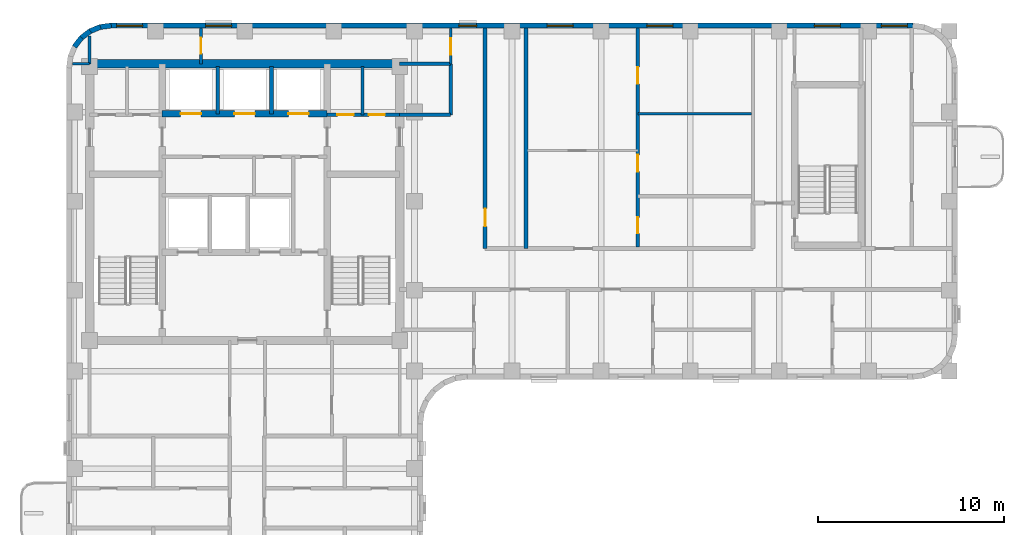
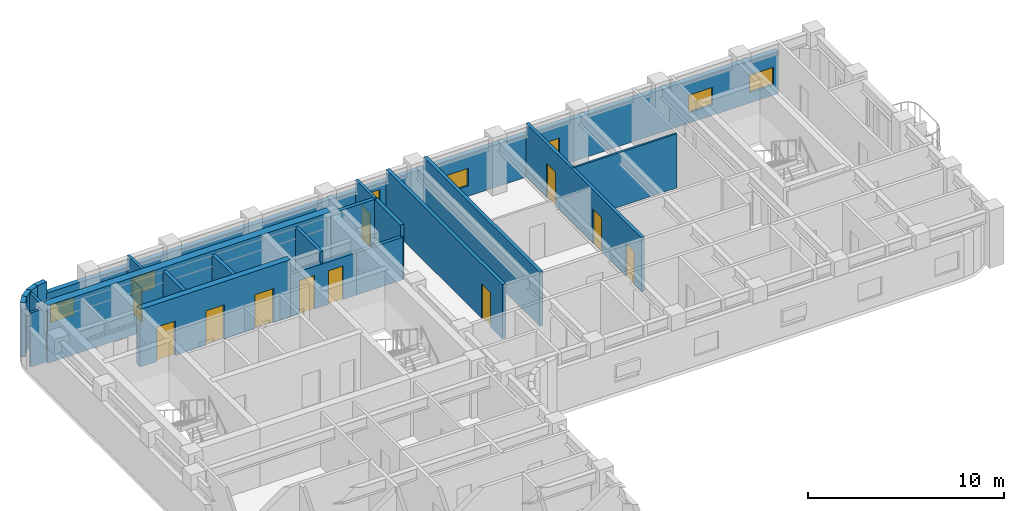
# One storey, part 8 of 12: 22 walls, 11 doors, 7 windows, 18 openings.
"""IFC4 building model written with IfcOpenShell, lengths in metres."""

from ifc_helpers import new_model, si_unit, direction, frame, frame_2d, origin, place, context, subcontext, project, spatial, rectangle, extrude, material, layer, layer_set, type_object, element, fill, save


model = new_model("IFC4")

# Units and contexts
model_context = context("Model", 3, precision=1e-05, world=origin(), true_north=direction((0.0, 1.0)))
body_context = subcontext(model_context, "Body", "Model", "MODEL_VIEW")
ifc_project = project(units=[si_unit("LENGTHUNIT", "METRE"), si_unit("AREAUNIT", "SQUARE_METRE"), si_unit("VOLUMEUNIT", "CUBIC_METRE"), si_unit("PLANEANGLEUNIT", "RADIAN"), si_unit("MASSUNIT", "GRAM", prefix="KILO")], contexts=[model_context])

# Site, building, storey
site_placement = place(None, origin())
site = spatial("IfcSite", under=ifc_project, at=site_placement, CompositionType="ELEMENT")
building_placement = place(site_placement, origin())
building = spatial("IfcBuilding", under=site, at=building_placement, Name="Orvandelia Arch Residences", CompositionType="ELEMENT")
storey_placement = place(building_placement, frame((0.0, 0.0, 214.60009765625)))
storey = spatial("IfcBuildingStorey", under=building, at=storey_placement, Name="L56", CompositionType="ELEMENT", Elevation=214.60009765625)

# Wall, openings, doors
ifc_material_1 = material(Name="Concrete C50/60", Category="concrete")
ifc_layer_1 = layer(ifc_material_1, 0.35009765625, Name="Concrete C50/60", Category="concrete")
ifc_layer_set_1 = layer_set([ifc_layer_1], Name="Concrete C50/60")
wall_type_1 = type_object("IfcWallType", Name="WL-CORE-350", PredefinedType="SHEAR", material=ifc_layer_set_1)
wall_1_placement = place(storey_placement, frame((9.9599609375, 43.10009765625, 0.0), z_axis=(0.0, 0.0, 1.0), x_axis=(1.0, 0.0, 0.0)))
wall_1 = element("IfcWall", 1, at=wall_1_placement, inside=storey, type_object=wall_type_1, Name="Core Shear Wall L56-HZ4", PredefinedType="SHEAR", context=body_context, shape_type="SweptSolid", body=[
    extrude(rectangle(XDim=8.880126953125, YDim=0.35009765625, at=frame_2d((4.43994140625, 0.0))), origin(), (0.0, 0.0, 1.0), 3.599853515625),
])
opening_1_placement = place(wall_1_placement, frame((0.989990234375, 0.0, 0.0)))
opening_1 = element("IfcOpeningElement", 2, at=opening_1_placement, cuts=wall_1, Name="Opening LD", PredefinedType="OPENING", context=body_context, shape_type="SweptSolid", body=[
    extrude(rectangle(XDim=1.10009765625, YDim=2.14990234375, at=frame_2d((0.550048828125, 1.074951171875))), frame((0.0, 0.18505859375, 0.0), z_axis=(0.0, -1.0, 0.0), x_axis=(1.0, 0.0, 0.0)), (0.0, 0.0, 1.0), 0.3701171875),
])
opening_2_placement = place(wall_1_placement, frame((3.889892578125, 0.0, 0.0)))
opening_2 = element("IfcOpeningElement", 3, at=opening_2_placement, cuts=wall_1, Name="Opening LD", PredefinedType="OPENING", context=body_context, shape_type="SweptSolid", body=[
    extrude(rectangle(XDim=1.10009765625, YDim=2.14990234375, at=frame_2d((0.550048828125, 1.074951171875))), frame((0.0, 0.18505859375, 0.0), z_axis=(0.0, -1.0, 0.0), x_axis=(1.0, 0.0, 0.0)), (0.0, 0.0, 1.0), 0.3701171875),
])
opening_3_placement = place(wall_1_placement, frame((6.7900390625, 0.0, 0.0)))
opening_3 = element("IfcOpeningElement", 4, at=opening_3_placement, cuts=wall_1, Name="Opening LD", PredefinedType="OPENING", context=body_context, shape_type="SweptSolid", body=[
    extrude(rectangle(XDim=1.10009765625, YDim=2.14990234375, at=frame_2d((0.550048828125, 1.074951171875))), frame((0.0, 0.18505859375, 0.0), z_axis=(0.0, -1.0, 0.0), x_axis=(1.0, 0.0, 0.0)), (0.0, 0.0, 1.0), 0.3701171875),
])
ifc_material_2 = material(Name="Brushed Stainless Steel Sliding Lift Door", Category="steel")
door_type_1 = type_object("IfcDoorType", Name="DR-LIFT-1100", OperationType="NOTDEFINED", PredefinedType="DOOR", material=ifc_material_2)
door_1_placement = place(opening_1_placement, origin())
door_1 = element("IfcDoor", 5, at=door_1_placement, inside=storey, type_object=door_type_1, Name="Lift Landing Door LD-PH1-L56", OperationType="SLIDING_TO_LEFT", OverallHeight=2.14990234375, OverallWidth=1.10009765625, PredefinedType="DOOR", context=body_context, shape_type="SweptSolid", body=[
    extrude(rectangle(XDim=1.10009765625, YDim=2.14990234375, at=frame_2d((0.550048828125, 1.074951171875))), frame((0.0, 0.02490234375, 0.0), z_axis=(0.0, -1.0, 0.0), x_axis=(1.0, 0.0, 0.0)), (0.0, 0.0, 1.0), 0.050048828125),
])
fill(opening_1, door_1)
door_2_placement = place(opening_2_placement, origin())
door_2 = element("IfcDoor", 6, at=door_2_placement, inside=storey, type_object=door_type_1, Name="Lift Landing Door LD-PH2-L56", OperationType="SLIDING_TO_RIGHT", OverallHeight=2.14990234375, OverallWidth=1.10009765625, PredefinedType="DOOR", context=body_context, shape_type="SweptSolid", body=[
    extrude(rectangle(XDim=1.10009765625, YDim=2.14990234375, at=frame_2d((0.550048828125, 1.074951171875))), frame((0.0, 0.02490234375, 0.0), z_axis=(0.0, -1.0, 0.0), x_axis=(1.0, 0.0, 0.0)), (0.0, 0.0, 1.0), 0.050048828125),
])
fill(opening_2, door_2)
door_3_placement = place(opening_3_placement, origin())
door_3 = element("IfcDoor", 7, at=door_3_placement, inside=storey, type_object=door_type_1, Name="Lift Landing Door LD-PH3-L56", OperationType="SLIDING_TO_LEFT", OverallHeight=2.14990234375, OverallWidth=1.10009765625, PredefinedType="DOOR", context=body_context, shape_type="SweptSolid", body=[
    extrude(rectangle(XDim=1.10009765625, YDim=2.14990234375, at=frame_2d((0.550048828125, 1.074951171875))), frame((0.0, 0.02490234375, 0.0), z_axis=(0.0, -1.0, 0.0), x_axis=(1.0, 0.0, 0.0)), (0.0, 0.0, 1.0), 0.050048828125),
])
fill(opening_3, door_3)

# Walls
ifc_layer_2 = layer(ifc_material_1, 0.449951171875, Name="Concrete C50/60", Category="concrete")
ifc_layer_set_2 = layer_set([ifc_layer_2], Name="Concrete C50/60")
wall_type_2 = type_object("IfcWallType", Name="WL-CORE-450", PredefinedType="SHEAR", material=ifc_layer_set_2)
wall_2_placement = place(storey_placement, frame((6.050048828125, 45.800048828125, 0.0), z_axis=(0.0, 0.0, 1.0), x_axis=(1.0, 0.0, 0.0)))
element("IfcWall", 8, at=wall_2_placement, inside=storey, type_object=wall_type_2, Name="Core Shear Wall L56-N", PredefinedType="SHEAR", context=body_context, shape_type="SweptSolid", body=[
    extrude(rectangle(XDim=16.699951171875, YDim=0.449951171875, at=frame_2d((8.35009765625, 0.0))), origin(), (0.0, 0.0, 1.0), 3.599853515625),
])
ifc_material_3 = material(Name="Fire-Rated Corridor Partition")
ifc_layer_3 = layer(ifc_material_3, 0.199951171875, Name="Fire-Rated Corridor Partition")
ifc_layer_set_3 = layer_set([ifc_layer_3], Name="Fire-Rated Corridor Partition")
wall_type_3 = type_object("IfcWallType", Name="WL-CORR-200", PredefinedType="PARTITIONING", material=ifc_layer_set_3)
wall_3_placement = place(storey_placement, frame((22.75, 45.800048828125, 0.0), z_axis=(0.0, 0.0, 1.0), x_axis=(1.0, 0.0, 0.0)))
element("IfcWall", 9, at=wall_3_placement, inside=storey, type_object=wall_type_3, Name="Interior Partition Wall WL-L56-NCE-S", PredefinedType="PARTITIONING", context=body_context, shape_type="SweptSolid", body=[
    extrude(rectangle(XDim=2.75, YDim=0.199951171875, at=frame_2d((1.375, 0.0))), origin(), (0.0, 0.0, 1.0), 3.3798828125),
])

# Wall, opening, door
wall_4_placement = place(storey_placement, frame((27.35009765625, 35.85009765625, 0.0), z_axis=(0.0, 0.0, 1.0), x_axis=(0.0, 1.0, 0.0)))
wall_4 = element("IfcWall", 10, at=wall_4_placement, inside=storey, type_object=wall_type_3, Name="Interior Partition Wall WL-L56-ES-NCE", PredefinedType="PARTITIONING", context=body_context, shape_type="SweptSolid", body=[
    extrude(rectangle(XDim=11.869873046875, YDim=0.199951171875, at=frame_2d((5.93505859375, 0.0))), origin(), (0.0, 0.0, 1.0), 3.3798828125),
])
opening_4_placement = place(wall_4_placement, frame((1.199951171875, 0.0, 0.0)))
opening_4 = element("IfcOpeningElement", 11, at=opening_4_placement, cuts=wall_4, Name="Opening D2", PredefinedType="OPENING", context=body_context, shape_type="SweptSolid", body=[
    extrude(rectangle(XDim=0.949951171875, YDim=2.14990234375, at=frame_2d((0.47509765625, 1.074951171875))), frame((0.0, 0.10986328125, 0.0), z_axis=(0.0, -1.0, 0.0), x_axis=(1.0, 0.0, 0.0)), (0.0, 0.0, 1.0), 0.219970703125),
])
ifc_material_4 = material(Name="Solid-Core Timber Interior Fire Door", Category="wood")
door_type_2 = type_object("IfcDoorType", Name="DR-APT-950", OperationType="NOTDEFINED", PredefinedType="DOOR", material=ifc_material_4)
door_4_placement = place(opening_4_placement, origin())
door_4 = element("IfcDoor", 12, at=door_4_placement, inside=storey, type_object=door_type_2, Name="DR-L56-ESLDY", OperationType="SINGLE_SWING_RIGHT", OverallHeight=2.14990234375, OverallWidth=0.949951171875, PredefinedType="DOOR", context=body_context, shape_type="SweptSolid", body=[
    extrude(rectangle(XDim=0.949951171875, YDim=2.14990234375, at=frame_2d((0.47509765625, 1.074951171875))), frame((0.0, 0.02490234375, 0.0), z_axis=(0.0, -1.0, 0.0), x_axis=(1.0, 0.0, 0.0)), (0.0, 0.0, 1.0), 0.050048828125),
])
fill(opening_4, door_4)

# Walls
wall_5_placement = place(storey_placement, frame((22.75, 43.050048828125, 0.0), z_axis=(0.0, 0.0, 1.0), x_axis=(1.0, 0.0, 0.0)))
element("IfcWall", 13, at=wall_5_placement, inside=storey, type_object=wall_type_3, Name="Interior Partition Wall WL-L56-ES-LS", PredefinedType="PARTITIONING", context=body_context, shape_type="SweptSolid", body=[
    extrude(rectangle(XDim=2.75, YDim=0.199951171875, at=frame_2d((1.375, 0.0))), origin(), (0.0, 0.0, 1.0), 2.659912109375),
])
wall_6_placement = place(storey_placement, frame((25.5, 43.050048828125, 0.0), z_axis=(0.0, 0.0, 1.0), x_axis=(0.0, 1.0, 0.0)))
element("IfcWall", 14, at=wall_6_placement, inside=storey, type_object=wall_type_3, Name="Interior Partition Wall WL-L56-ES-LW2", PredefinedType="PARTITIONING", context=body_context, shape_type="SweptSolid", body=[
    extrude(rectangle(XDim=2.75, YDim=0.199951171875, at=frame_2d((1.375, 0.0))), origin(), (0.0, 0.0, 1.0), 3.3798828125),
])
ifc_material_5 = material(Name="Concrete C40/50", Category="concrete")
ifc_layer_4 = layer(ifc_material_5, 0.199951171875, Name="Concrete C40/50", Category="concrete")
ifc_layer_set_4 = layer_set([ifc_layer_4], Name="Concrete C40/50")
wall_type_4 = type_object("IfcWallType", Name="WL-DEM-200", PredefinedType="SOLIDWALL", material=ifc_layer_set_4)
wall_7_placement = place(storey_placement, frame((29.550048828125, 35.85009765625, 0.0), z_axis=(0.0, 0.0, 1.0), x_axis=(0.0, 1.0, 0.0)))
element("IfcWall", 15, at=wall_7_placement, inside=storey, type_object=wall_type_4, Name="Interior Partition Wall WL-L56-ES-LDE", PredefinedType="SOLIDWALL", context=body_context, shape_type="SweptSolid", body=[
    extrude(rectangle(XDim=11.869873046875, YDim=0.199951171875, at=frame_2d((5.93505859375, 0.0))), origin(), (0.0, 0.0, 1.0), 3.3798828125),
])
ifc_material_6 = material(Name="Precast concrete C40/50", Category="concrete")
ifc_layer_5 = layer(ifc_material_6, 0.280029296875, Name="Precast concrete C40/50", Category="concrete")
ifc_layer_set_5 = layer_set([ifc_layer_5], Name="Precast concrete C40/50")
wall_type_5 = type_object("IfcWallType", Name="WL-EXT-STONE-280", PredefinedType="STANDARD", material=ifc_layer_set_5)
for number, where, z_axis, x_axis, name in (
    (16, (5.232666015625, 46.71484375, 0.0), (0.0, 0.0, 1.0), (0.608693302629, 0.793405610854, 0.0), "Coral-Limestone Precast Facade Wall L56-003"),
    (17, (5.588134765625, 47.18603515625, 0.0), (0.0, 0.0, 1.0), (0.793405610854, 0.608693302629, 0.0), "Coral-Limestone Precast Facade Wall L56-004"),
):
    element("IfcWall", number, at=place(storey_placement, frame(where, z_axis=z_axis, x_axis=x_axis)), inside=storey, type_object=wall_type_5, Name=name, PredefinedType="STANDARD", context=body_context, shape_type="SweptSolid", body=[
        extrude(rectangle(XDim=0.62646484375, YDim=0.280029296875, at=frame_2d((0.313232421875, 0.0))), origin(), (0.0, 0.0, 1.0), 3.3798828125),
    ])
wall_8_placement = place(storey_placement, frame((6.0537109375, 47.54931640625, 0.0), z_axis=(0.0, 0.0, 1.0), x_axis=(0.923974080304, 0.382455093999, 0.0)))
element("IfcWall", 18, at=wall_8_placement, inside=storey, type_object=wall_type_5, Name="Coral-Limestone Precast Facade Wall L56-005", PredefinedType="STANDARD", context=body_context, shape_type="SweptSolid", body=[
    extrude(rectangle(XDim=0.626220703125, YDim=0.280029296875, at=frame_2d((0.31298828125, 0.0))), origin(), (0.0, 0.0, 1.0), 3.3798828125),
])
wall_9_placement = place(storey_placement, frame((6.59716796875, 47.779296875, 0.0), z_axis=(0.0, 0.0, 1.0), x_axis=(0.9914410257, 0.130555323746, 0.0)))
element("IfcWall", 19, at=wall_9_placement, inside=storey, type_object=wall_type_5, Name="Coral-Limestone Precast Facade Wall L56-006", PredefinedType="STANDARD", context=body_context, shape_type="SweptSolid", body=[
    extrude(rectangle(XDim=0.62646484375, YDim=0.280029296875, at=frame_2d((0.313232421875, 0.0))), origin(), (0.0, 0.0, 1.0), 3.3798828125),
])

# Wall, openings, windows
wall_10_placement = place(storey_placement, frame((7.199951171875, 47.860107421875, 0.0), z_axis=(0.0, 0.0, 1.0), x_axis=(1.0, 0.0, 0.0)))
wall_10 = element("IfcWall", 20, at=wall_10_placement, inside=storey, type_object=wall_type_5, Name="Coral-Limestone Precast Facade Wall L56-007", PredefinedType="STANDARD", context=body_context, shape_type="SweptSolid", body=[
    extrude(rectangle(XDim=43.199951171875, YDim=0.280029296875, at=frame_2d((21.60009765625, 0.0))), origin(), (0.0, 0.0, 1.0), 2.659912109375),
])
opening_5_placement = place(wall_10_placement, frame((28.865966796875, 0.0, 0.64990234375)))
opening_5 = element("IfcOpeningElement", 21, at=opening_5_placement, cuts=wall_10, Name="Opening W10", PredefinedType="OPENING", context=body_context, shape_type="SweptSolid", body=[
    extrude(rectangle(XDim=1.39990234375, YDim=1.10009765625, at=frame_2d((0.699951171875, 0.550048828125))), frame((0.0, 0.14990234375, 0.0), z_axis=(0.0, -1.0, 0.0), x_axis=(1.0, 0.0, 0.0)), (0.0, 0.0, 1.0), 0.300048828125),
])
opening_6_placement = place(wall_10_placement, frame((41.489501953125, 0.0, 0.64990234375)))
opening_6 = element("IfcOpeningElement", 22, at=opening_6_placement, cuts=wall_10, Name="Opening W10", PredefinedType="OPENING", context=body_context, shape_type="SweptSolid", body=[
    extrude(rectangle(XDim=1.39990234375, YDim=1.10009765625, at=frame_2d((0.699951171875, 0.550048828125))), frame((0.0, 0.14990234375, 0.0), z_axis=(0.0, -1.0, 0.0), x_axis=(1.0, 0.0, 0.0)), (0.0, 0.0, 1.0), 0.300048828125),
])
opening_7_placement = place(wall_10_placement, frame((18.739990234375, 0.0, 0.449951171875)))
opening_7 = element("IfcOpeningElement", 23, at=opening_7_placement, cuts=wall_10, Name="Opening W4", PredefinedType="OPENING", context=body_context, shape_type="SweptSolid", body=[
    extrude(rectangle(XDim=0.949951171875, YDim=1.800048828125, at=frame_2d((0.47509765625, 0.89990234375))), frame((0.0, 0.14990234375, 0.0), z_axis=(0.0, -1.0, 0.0), x_axis=(1.0, 0.0, 0.0)), (0.0, 0.0, 1.0), 0.300048828125),
])
opening_8_placement = place(wall_10_placement, frame((37.887451171875, 0.0, 0.64990234375)))
opening_8 = element("IfcOpeningElement", 24, at=opening_8_placement, cuts=wall_10, Name="Opening W10", PredefinedType="OPENING", context=body_context, shape_type="SweptSolid", body=[
    extrude(rectangle(XDim=1.39990234375, YDim=1.10009765625, at=frame_2d((0.699951171875, 0.550048828125))), frame((0.0, 0.14990234375, 0.0), z_axis=(0.0, -1.0, 0.0), x_axis=(1.0, 0.0, 0.0)), (0.0, 0.0, 1.0), 0.300048828125),
])
opening_9_placement = place(wall_10_placement, frame((0.3076171875, 0.0, 0.64990234375)))
opening_9 = element("IfcOpeningElement", 25, at=opening_9_placement, cuts=wall_10, Name="Opening W10", PredefinedType="OPENING", context=body_context, shape_type="SweptSolid", body=[
    extrude(rectangle(XDim=1.39990234375, YDim=1.10009765625, at=frame_2d((0.699951171875, 0.550048828125))), frame((0.0, 0.14990234375, 0.0), z_axis=(0.0, -1.0, 0.0), x_axis=(1.0, 0.0, 0.0)), (0.0, 0.0, 1.0), 0.300048828125),
])
opening_10_placement = place(wall_10_placement, frame((5.1025390625, 0.0, 0.64990234375)))
opening_10 = element("IfcOpeningElement", 26, at=opening_10_placement, cuts=wall_10, Name="Opening W10", PredefinedType="OPENING", context=body_context, shape_type="SweptSolid", body=[
    extrude(rectangle(XDim=1.39990234375, YDim=1.10009765625, at=frame_2d((0.699951171875, 0.550048828125))), frame((0.0, 0.14990234375, 0.0), z_axis=(0.0, -1.0, 0.0), x_axis=(1.0, 0.0, 0.0)), (0.0, 0.0, 1.0), 0.300048828125),
])
opening_11_placement = place(wall_10_placement, frame((23.492431640625, 0.0, 0.64990234375)))
opening_11 = element("IfcOpeningElement", 27, at=opening_11_placement, cuts=wall_10, Name="Opening W10", PredefinedType="OPENING", context=body_context, shape_type="SweptSolid", body=[
    extrude(rectangle(XDim=1.39990234375, YDim=1.10009765625, at=frame_2d((0.699951171875, 0.550048828125))), frame((0.0, 0.14990234375, 0.0), z_axis=(0.0, -1.0, 0.0), x_axis=(1.0, 0.0, 0.0)), (0.0, 0.0, 1.0), 0.300048828125),
])
ifc_material_7 = material(Name="Tempered Low-E Insulated Glazing", Category="glass")
window_type_1 = type_object("IfcWindowType", Name="WIN-CLR-1400x1100", PartitioningType="SINGLE_PANEL", PredefinedType="WINDOW", material=ifc_material_7)
window_1_placement = place(opening_5_placement, origin())
window_1 = element("IfcWindow", 28, at=window_1_placement, inside=storey, type_object=window_type_1, Name="Recessed Punched Window L56-001", OverallHeight=1.10009765625, OverallWidth=1.39990234375, PartitioningType="SINGLE_PANEL", PredefinedType="WINDOW", context=body_context, shape_type="SweptSolid", body=[
    extrude(rectangle(XDim=1.39990234375, YDim=1.10009765625, at=frame_2d((0.699951171875, 0.550048828125))), frame((0.0, 0.030029296875, 0.0), z_axis=(0.0, -1.0, 0.0), x_axis=(1.0, 0.0, 0.0)), (0.0, 0.0, 1.0), 0.06005859375),
])
fill(opening_5, window_1)
window_2_placement = place(opening_6_placement, origin())
window_2 = element("IfcWindow", 29, at=window_2_placement, inside=storey, type_object=window_type_1, Name="Recessed Punched Window L56-002", OverallHeight=1.10009765625, OverallWidth=1.39990234375, PartitioningType="SINGLE_PANEL", PredefinedType="WINDOW", context=body_context, shape_type="SweptSolid", body=[
    extrude(rectangle(XDim=1.39990234375, YDim=1.10009765625, at=frame_2d((0.699951171875, 0.550048828125))), frame((0.0, 0.030029296875, 0.0), z_axis=(0.0, -1.0, 0.0), x_axis=(1.0, 0.0, 0.0)), (0.0, 0.0, 1.0), 0.06005859375),
])
fill(opening_6, window_2)
window_3_placement = place(opening_8_placement, origin())
window_3 = element("IfcWindow", 30, at=window_3_placement, inside=storey, type_object=window_type_1, Name="Recessed Punched Window L56-004", OverallHeight=1.10009765625, OverallWidth=1.39990234375, PartitioningType="SINGLE_PANEL", PredefinedType="WINDOW", context=body_context, shape_type="SweptSolid", body=[
    extrude(rectangle(XDim=1.39990234375, YDim=1.10009765625, at=frame_2d((0.699951171875, 0.550048828125))), frame((0.0, 0.030029296875, 0.0), z_axis=(0.0, -1.0, 0.0), x_axis=(1.0, 0.0, 0.0)), (0.0, 0.0, 1.0), 0.06005859375),
])
fill(opening_8, window_3)
window_4_placement = place(opening_9_placement, origin())
window_4 = element("IfcWindow", 31, at=window_4_placement, inside=storey, type_object=window_type_1, Name="Recessed Punched Window L56-005", OverallHeight=1.10009765625, OverallWidth=1.39990234375, PartitioningType="SINGLE_PANEL", PredefinedType="WINDOW", context=body_context, shape_type="SweptSolid", body=[
    extrude(rectangle(XDim=1.39990234375, YDim=1.10009765625, at=frame_2d((0.699951171875, 0.550048828125))), frame((0.0, 0.030029296875, 0.0), z_axis=(0.0, -1.0, 0.0), x_axis=(1.0, 0.0, 0.0)), (0.0, 0.0, 1.0), 0.06005859375),
])
fill(opening_9, window_4)
window_5_placement = place(opening_10_placement, origin())
window_5 = element("IfcWindow", 32, at=window_5_placement, inside=storey, type_object=window_type_1, Name="Recessed Punched Window L56-006", OverallHeight=1.10009765625, OverallWidth=1.39990234375, PartitioningType="SINGLE_PANEL", PredefinedType="WINDOW", context=body_context, shape_type="SweptSolid", body=[
    extrude(rectangle(XDim=1.39990234375, YDim=1.10009765625, at=frame_2d((0.699951171875, 0.550048828125))), frame((0.0, 0.030029296875, 0.0), z_axis=(0.0, -1.0, 0.0), x_axis=(1.0, 0.0, 0.0)), (0.0, 0.0, 1.0), 0.06005859375),
])
fill(opening_10, window_5)
window_6_placement = place(opening_11_placement, origin())
window_6 = element("IfcWindow", 33, at=window_6_placement, inside=storey, type_object=window_type_1, Name="Recessed Punched Window L56-007", OverallHeight=1.10009765625, OverallWidth=1.39990234375, PartitioningType="SINGLE_PANEL", PredefinedType="WINDOW", context=body_context, shape_type="SweptSolid", body=[
    extrude(rectangle(XDim=1.39990234375, YDim=1.10009765625, at=frame_2d((0.699951171875, 0.550048828125))), frame((0.0, 0.030029296875, 0.0), z_axis=(0.0, -1.0, 0.0), x_axis=(1.0, 0.0, 0.0)), (0.0, 0.0, 1.0), 0.06005859375),
])
fill(opening_11, window_6)
window_type_2 = type_object("IfcWindowType", Name="WIN-RES-0950x1800", PartitioningType="SINGLE_PANEL", PredefinedType="WINDOW", material=ifc_material_7)
window_7_placement = place(opening_7_placement, origin())
window_7 = element("IfcWindow", 34, at=window_7_placement, inside=storey, type_object=window_type_2, Name="Recessed Punched Window L56-003", OverallHeight=1.800048828125, OverallWidth=0.949951171875, PartitioningType="SINGLE_PANEL", PredefinedType="WINDOW", context=body_context, shape_type="SweptSolid", body=[
    extrude(rectangle(XDim=0.949951171875, YDim=1.800048828125, at=frame_2d((0.47509765625, 0.89990234375))), frame((0.0, 0.030029296875, 0.0), z_axis=(0.0, -1.0, 0.0), x_axis=(1.0, 0.0, 0.0)), (0.0, 0.0, 1.0), 0.06005859375),
])
fill(opening_7, window_7)

# Walls
ifc_material_8 = material(Name="Lightweight Gypsum Stud Partition")
ifc_layer_6 = layer(ifc_material_8, 0.1201171875, Name="Lightweight Gypsum Stud Partition")
ifc_layer_set_6 = layer_set([ifc_layer_6], Name="Lightweight Gypsum Stud Partition")
wall_type_6 = type_object("IfcWallType", Name="WL-PART-120", PredefinedType="PARTITIONING", material=ifc_layer_set_6)
wall_11_placement = place(storey_placement, frame((35.576904296875, 43.10693359375, 0.0), z_axis=(0.0, 0.0, 1.0), x_axis=(1.0, 0.0, 0.0)))
element("IfcWall", 35, at=wall_11_placement, inside=storey, type_object=wall_type_6, Name="Interior Partition Wall WL-L56-U10-H2", PredefinedType="PARTITIONING", context=body_context, shape_type="SweptSolid", body=[
    extrude(rectangle(XDim=6.123046875, YDim=0.1201171875, at=frame_2d((3.0615234375, 0.0))), origin(), (0.0, 0.0, 1.0), 3.3798828125),
])
ifc_material_9 = material(Name="Acoustic Gypsum Stud Partition")
ifc_layer_7 = layer(ifc_material_9, 0.14990234375, Name="Acoustic Gypsum Stud Partition")
ifc_layer_set_7 = layer_set([ifc_layer_7], Name="Acoustic Gypsum Stud Partition")
wall_type_7 = type_object("IfcWallType", Name="WL-PART-150", PredefinedType="PARTITIONING", material=ifc_layer_set_7)
wall_12_placement = place(storey_placement, frame((5.1201171875, 45.800048828125, 0.0), z_axis=(0.0, 0.0, 1.0), x_axis=(1.0, 0.0, 0.0)))
element("IfcWall", 36, at=wall_12_placement, inside=storey, type_object=wall_type_7, Name="Interior Partition Wall WL-L56-WF-N", PredefinedType="PARTITIONING", context=body_context, shape_type="SweptSolid", body=[
    extrude(rectangle(XDim=0.929931640625, YDim=0.14990234375, at=frame_2d((0.46484375, 0.0))), origin(), (0.0, 0.0, 1.0), 3.3798828125),
])

# Wall, opening, door
wall_13_placement = place(storey_placement, frame((25.5, 45.800048828125, 0.0), z_axis=(0.0, 0.0, 1.0), x_axis=(0.0, 1.0, 0.0)))
wall_13 = element("IfcWall", 37, at=wall_13_placement, inside=storey, type_object=wall_type_7, Name="Interior Partition Wall WL-L56-NCE-W", PredefinedType="PARTITIONING", context=body_context, shape_type="SweptSolid", body=[
    extrude(rectangle(XDim=1.919921875, YDim=0.14990234375, at=frame_2d((0.9599609375, 0.0))), origin(), (0.0, 0.0, 1.0), 3.3798828125),
])
opening_12_placement = place(wall_13_placement, frame((0.5, 0.0, 0.0)))
opening_12 = element("IfcOpeningElement", 38, at=opening_12_placement, cuts=wall_13, Name="Opening D5", PredefinedType="OPENING", context=body_context, shape_type="SweptSolid", body=[
    extrude(rectangle(XDim=0.8798828125, YDim=2.10009765625, at=frame_2d((0.43994140625, 1.050048828125))), frame((0.0, 0.0849609375, 0.0), z_axis=(0.0, -1.0, 0.0), x_axis=(1.0, 0.0, 0.0)), (0.0, 0.0, 1.0), 0.169921875),
])
ifc_material_10 = material(Name="Painted Galvanised Steel Service Door", Category="steel")
door_type_3 = type_object("IfcDoorType", Name="DR-SRV-880", OperationType="NOTDEFINED", PredefinedType="DOOR", material=ifc_material_10)
door_5_placement = place(opening_12_placement, origin())
door_5 = element("IfcDoor", 39, at=door_5_placement, inside=storey, type_object=door_type_3, Name="DR-L56-NCS2", OperationType="SINGLE_SWING_LEFT", OverallHeight=2.10009765625, OverallWidth=0.8798828125, PredefinedType="DOOR", context=body_context, shape_type="SweptSolid", body=[
    extrude(rectangle(XDim=0.8798828125, YDim=2.10009765625, at=frame_2d((0.43994140625, 1.050048828125))), frame((0.0, 0.02490234375, 0.0), z_axis=(0.0, -1.0, 0.0), x_axis=(1.0, 0.0, 0.0)), (0.0, 0.0, 1.0), 0.050048828125),
])
fill(opening_12, door_5)

# Wall
wall_14_placement = place(storey_placement, frame((6.050048828125, 45.800048828125, 0.0), z_axis=(0.0, 0.0, 1.0), x_axis=(0.0, 1.0, 0.0)))
element("IfcWall", 40, at=wall_14_placement, inside=storey, type_object=wall_type_7, Name="Interior Partition Wall WL-L56-NC-W6", PredefinedType="PARTITIONING", context=body_context, shape_type="SweptSolid", body=[
    extrude(rectangle(XDim=1.5, YDim=0.14990234375, at=frame_2d((0.75, 0.0))), origin(), (0.0, 0.0, 1.0), 3.3798828125),
])

# Wall, opening, door
wall_15_placement = place(storey_placement, frame((12.050048828125, 45.800048828125, 0.0), z_axis=(0.0, 0.0, 1.0), x_axis=(0.0, 1.0, 0.0)))
wall_15 = element("IfcWall", 41, at=wall_15_placement, inside=storey, type_object=wall_type_7, Name="Interior Partition Wall WL-L56-NC-M", PredefinedType="PARTITIONING", context=body_context, shape_type="SweptSolid", body=[
    extrude(rectangle(XDim=1.919921875, YDim=0.14990234375, at=frame_2d((0.9599609375, 0.0))), origin(), (0.0, 0.0, 1.0), 3.3798828125),
])
opening_13_placement = place(wall_15_placement, frame((0.550048828125, 0.0, 0.0)))
opening_13 = element("IfcOpeningElement", 42, at=opening_13_placement, cuts=wall_15, Name="Opening D4", PredefinedType="OPENING", context=body_context, shape_type="SweptSolid", body=[
    extrude(rectangle(XDim=0.860107421875, YDim=2.10009765625, at=frame_2d((0.43017578125, 1.050048828125))), frame((0.0, 0.0849609375, 0.0), z_axis=(0.0, -1.0, 0.0), x_axis=(1.0, 0.0, 0.0)), (0.0, 0.0, 1.0), 0.169921875),
])
ifc_material_11 = material(Name="Moisture-Sealed Timber Bathroom Door", Category="wood")
door_type_4 = type_object("IfcDoorType", Name="DR-WET-900", OperationType="NOTDEFINED", PredefinedType="DOOR", material=ifc_material_11)
door_6_placement = place(opening_13_placement, origin())
door_6 = element("IfcDoor", 43, at=door_6_placement, inside=storey, type_object=door_type_4, Name="DR-L56-NCS1", OperationType="SINGLE_SWING_LEFT", OverallHeight=2.10009765625, OverallWidth=0.860107421875, PredefinedType="DOOR", context=body_context, shape_type="SweptSolid", body=[
    extrude(rectangle(XDim=0.860107421875, YDim=2.10009765625, at=frame_2d((0.43017578125, 1.050048828125))), frame((0.0, 0.02490234375, 0.0), z_axis=(0.0, -1.0, 0.0), x_axis=(1.0, 0.0, 0.0)), (0.0, 0.0, 1.0), 0.050048828125),
])
fill(opening_13, door_6)

# Wall, openings, doors
ifc_material_12 = material(Name="Fire-Rated Shaft Enclosure Wall")
ifc_layer_8 = layer(ifc_material_12, 0.199951171875, Name="Fire-Rated Shaft Enclosure Wall")
ifc_layer_set_8 = layer_set([ifc_layer_8], Name="Fire-Rated Shaft Enclosure Wall")
wall_type_8 = type_object("IfcWallType", Name="WL-SHAFT-200", PredefinedType="POLYGONAL", material=ifc_layer_set_8)
wall_16_placement = place(storey_placement, frame((18.840087890625, 43.050048828125, 0.0), z_axis=(0.0, 0.0, 1.0), x_axis=(1.0, 0.0, 0.0)))
wall_16 = element("IfcWall", 44, at=wall_16_placement, inside=storey, type_object=wall_type_8, Name="Interior Partition Wall WL-L56-HLE-N", PredefinedType="POLYGONAL", context=body_context, shape_type="SweptSolid", body=[
    extrude(rectangle(XDim=3.909912109375, YDim=0.199951171875, at=frame_2d((1.955078125, 0.0))), origin(), (0.0, 0.0, 1.0), 2.659912109375),
])
opening_14_placement = place(wall_16_placement, frame((0.550048828125, 0.0, 0.0)))
opening_14 = element("IfcOpeningElement", 45, at=opening_14_placement, cuts=wall_16, Name="Opening D5", PredefinedType="OPENING", context=body_context, shape_type="SweptSolid", body=[
    extrude(rectangle(XDim=0.8798828125, YDim=2.10009765625, at=frame_2d((0.43994140625, 1.050048828125))), frame((0.0, 0.10986328125, 0.0), z_axis=(0.0, -1.0, 0.0), x_axis=(1.0, 0.0, 0.0)), (0.0, 0.0, 1.0), 0.219970703125),
])
opening_15_placement = place(wall_16_placement, frame((2.25, 0.0, 0.0)))
opening_15 = element("IfcOpeningElement", 46, at=opening_15_placement, cuts=wall_16, Name="Opening D4", PredefinedType="OPENING", context=body_context, shape_type="SweptSolid", body=[
    extrude(rectangle(XDim=0.860107421875, YDim=2.10009765625, at=frame_2d((0.43017578125, 1.050048828125))), frame((0.0, 0.10986328125, 0.0), z_axis=(0.0, -1.0, 0.0), x_axis=(1.0, 0.0, 0.0)), (0.0, 0.0, 1.0), 0.219970703125),
])
door_7_placement = place(opening_14_placement, origin())
door_7 = element("IfcDoor", 47, at=door_7_placement, inside=storey, type_object=door_type_3, Name="DR-L56-CSB1", OperationType="SINGLE_SWING_LEFT", OverallHeight=2.10009765625, OverallWidth=0.8798828125, PredefinedType="DOOR", context=body_context, shape_type="SweptSolid", body=[
    extrude(rectangle(XDim=0.8798828125, YDim=2.10009765625, at=frame_2d((0.43994140625, 1.050048828125))), frame((0.0, 0.02490234375, 0.0), z_axis=(0.0, -1.0, 0.0), x_axis=(1.0, 0.0, 0.0)), (0.0, 0.0, 1.0), 0.050048828125),
])
fill(opening_14, door_7)
door_8_placement = place(opening_15_placement, origin())
door_8 = element("IfcDoor", 48, at=door_8_placement, inside=storey, type_object=door_type_4, Name="DR-L56-CSB2", OperationType="SINGLE_SWING_LEFT", OverallHeight=2.10009765625, OverallWidth=0.860107421875, PredefinedType="DOOR", context=body_context, shape_type="SweptSolid", body=[
    extrude(rectangle(XDim=0.860107421875, YDim=2.10009765625, at=frame_2d((0.43017578125, 1.050048828125))), frame((0.0, 0.02490234375, 0.0), z_axis=(0.0, -1.0, 0.0), x_axis=(1.0, 0.0, 0.0)), (0.0, 0.0, 1.0), 0.050048828125),
])
fill(opening_15, door_8)

# Walls
for number, where, z_axis, x_axis, name in (
    (49, (12.949951171875, 43.10009765625, 0.0), (0.0, 0.0, 1.0), (0.0, 1.0, 0.0), "Interior Partition Wall WL-L56-PHD1"),
    (50, (15.85009765625, 43.10009765625, 0.0), (0.0, 0.0, 1.0), (0.0, 1.0, 0.0), "Interior Partition Wall WL-L56-PHD2"),
):
    element("IfcWall", number, at=place(storey_placement, frame(where, z_axis=z_axis, x_axis=x_axis)), inside=storey, type_object=wall_type_8, Name=name, PredefinedType="POLYGONAL", context=body_context, shape_type="SweptSolid", body=[
        extrude(rectangle(XDim=2.5498046875, YDim=0.199951171875, at=frame_2d((1.27490234375, 0.0))), origin(), (0.0, 0.0, 1.0), 3.3798828125),
    ])
ifc_material_13 = material(Name="Moisture-Resistant Plumbing Wall")
ifc_layer_9 = layer(ifc_material_13, 0.179931640625, Name="Moisture-Resistant Plumbing Wall")
ifc_layer_set_9 = layer_set([ifc_layer_9], Name="Moisture-Resistant Plumbing Wall")
wall_type_9 = type_object("IfcWallType", Name="WL-WET-180", PredefinedType="PLUMBINGWALL", material=ifc_layer_set_9)
wall_17_placement = place(storey_placement, frame((20.75, 43.050048828125, 0.0), z_axis=(0.0, 0.0, 1.0), x_axis=(0.0, 1.0, 0.0)))
element("IfcWall", 51, at=wall_17_placement, inside=storey, type_object=wall_type_9, Name="Interior Partition Wall WL-L56-CSB-1", PredefinedType="PLUMBINGWALL", context=body_context, shape_type="SweptSolid", body=[
    extrude(rectangle(XDim=2.599853515625, YDim=0.179931640625, at=frame_2d((1.2998046875, 0.0))), origin(), (0.0, 0.0, 1.0), 3.3798828125),
])

# Wall, openings, doors
wall_18_placement = place(storey_placement, frame((35.576904296875, 35.929931640625, 0.0), z_axis=(0.0, 0.0, 1.0), x_axis=(0.0, 1.0, 0.0)))
wall_18 = element("IfcWall", 52, at=wall_18_placement, inside=storey, type_object=wall_type_9, Name="Interior Partition Wall WL-L56-U10-VT", PredefinedType="PLUMBINGWALL", context=body_context, shape_type="SweptSolid", body=[
    extrude(rectangle(XDim=11.7900390625, YDim=0.179931640625, at=frame_2d((5.89501953125, 0.0))), origin(), (0.0, 0.0, 1.0), 3.3798828125),
])
opening_16_placement = place(wall_18_placement, frame((0.7333984375, 0.0, 0.0)))
opening_16 = element("IfcOpeningElement", 53, at=opening_16_placement, cuts=wall_18, Name="Opening D4", PredefinedType="OPENING", context=body_context, shape_type="SweptSolid", body=[
    extrude(rectangle(XDim=0.860107421875, YDim=2.10009765625, at=frame_2d((0.43017578125, 1.050048828125))), frame((0.0, 0.10009765625, 0.0), z_axis=(0.0, -1.0, 0.0), x_axis=(1.0, 0.0, 0.0)), (0.0, 0.0, 1.0), 0.199951171875),
])
opening_17_placement = place(wall_18_placement, frame((4.063720703125, 0.0, 0.0)))
opening_17 = element("IfcOpeningElement", 54, at=opening_17_placement, cuts=wall_18, Name="Opening D3", PredefinedType="OPENING", context=body_context, shape_type="SweptSolid", body=[
    extrude(rectangle(XDim=0.89990234375, YDim=2.14990234375, at=frame_2d((0.449951171875, 1.074951171875))), frame((0.0, 0.10009765625, 0.0), z_axis=(0.0, -1.0, 0.0), x_axis=(1.0, 0.0, 0.0)), (0.0, 0.0, 1.0), 0.199951171875),
])
opening_18_placement = place(wall_18_placement, frame((8.789306640625, 0.0, 0.0)))
opening_18 = element("IfcOpeningElement", 55, at=opening_18_placement, cuts=wall_18, Name="Opening D3", PredefinedType="OPENING", context=body_context, shape_type="SweptSolid", body=[
    extrude(rectangle(XDim=0.89990234375, YDim=2.14990234375, at=frame_2d((0.449951171875, 1.074951171875))), frame((0.0, 0.10009765625, 0.0), z_axis=(0.0, -1.0, 0.0), x_axis=(1.0, 0.0, 0.0)), (0.0, 0.0, 1.0), 0.199951171875),
])
ifc_material_14 = material(Name="Engineered Timber Flush Door", Category="wood")
door_type_5 = type_object("IfcDoorType", Name="DR-INT-900", OperationType="NOTDEFINED", PredefinedType="DOOR", material=ifc_material_14)
door_9_placement = place(opening_17_placement, origin())
door_9 = element("IfcDoor", 56, at=door_9_placement, inside=storey, type_object=door_type_5, Name="DR-L56-U10-KIT", OperationType="SINGLE_SWING_RIGHT", OverallHeight=2.14990234375, OverallWidth=0.89990234375, PredefinedType="DOOR", context=body_context, shape_type="SweptSolid", body=[
    extrude(rectangle(XDim=0.89990234375, YDim=2.14990234375, at=frame_2d((0.449951171875, 1.074951171875))), frame((0.0, 0.02490234375, 0.0), z_axis=(0.0, -1.0, 0.0), x_axis=(1.0, 0.0, 0.0)), (0.0, 0.0, 1.0), 0.050048828125),
])
fill(opening_17, door_9)
door_10_placement = place(opening_18_placement, origin())
door_10 = element("IfcDoor", 57, at=door_10_placement, inside=storey, type_object=door_type_5, Name="DR-L56-U10-BD1", OperationType="SINGLE_SWING_LEFT", OverallHeight=2.14990234375, OverallWidth=0.89990234375, PredefinedType="DOOR", context=body_context, shape_type="SweptSolid", body=[
    extrude(rectangle(XDim=0.89990234375, YDim=2.14990234375, at=frame_2d((0.449951171875, 1.074951171875))), frame((0.0, 0.02490234375, 0.0), z_axis=(0.0, -1.0, 0.0), x_axis=(1.0, 0.0, 0.0)), (0.0, 0.0, 1.0), 0.050048828125),
])
fill(opening_18, door_10)
door_11_placement = place(opening_16_placement, origin())
door_11 = element("IfcDoor", 58, at=door_11_placement, inside=storey, type_object=door_type_4, Name="DR-L56-U10-BTH", OperationType="SINGLE_SWING_LEFT", OverallHeight=2.10009765625, OverallWidth=0.860107421875, PredefinedType="DOOR", context=body_context, shape_type="SweptSolid", body=[
    extrude(rectangle(XDim=0.860107421875, YDim=2.10009765625, at=frame_2d((0.43017578125, 1.050048828125))), frame((0.0, 0.02490234375, 0.0), z_axis=(0.0, -1.0, 0.0), x_axis=(1.0, 0.0, 0.0)), (0.0, 0.0, 1.0), 0.050048828125),
])
fill(opening_16, door_11)

save(model, "model.ifc")
